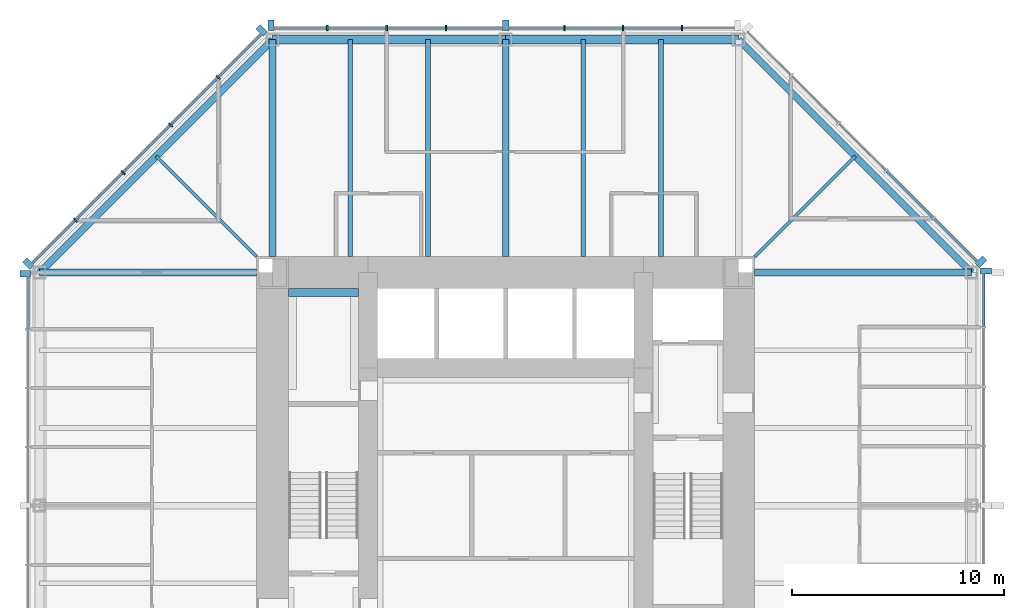
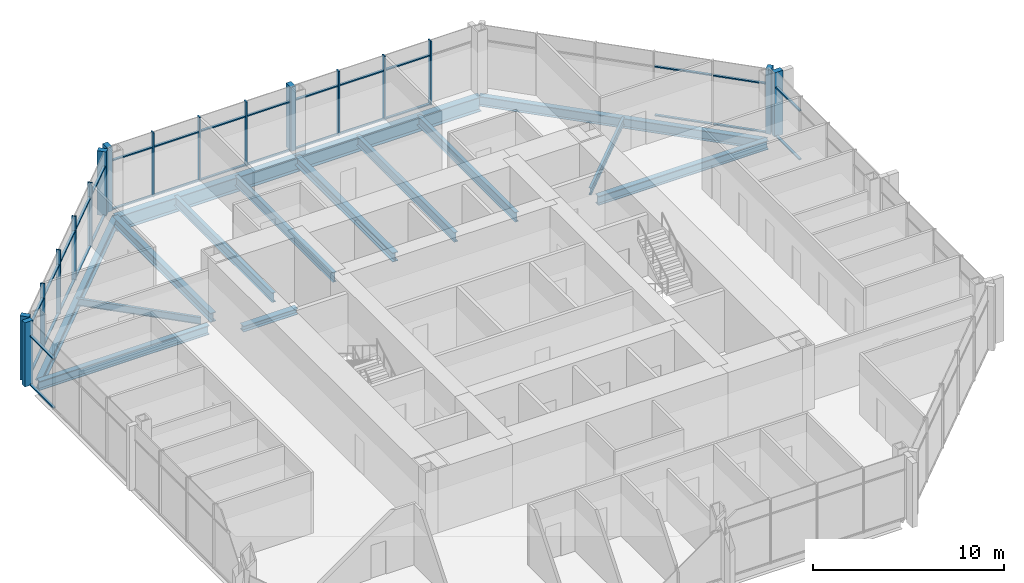
# One storey, part 5 of 12: 49 members, 15 beams, 5 elements without a shape of their own.
"""IFC4 building model written with IfcOpenShell, lengths in metres."""

from ifc_helpers import new_model, si_unit, direction, frame, origin, origin_2d, place, context, subcontext, project, spatial, rectangle, i_section, extrude, material, material_profile, profile_set, type_object, element, aggregate, save


model = new_model("IFC4")

# Units and contexts
model_context = context("Model", 3, precision=1e-05, world=origin(), true_north=direction((0.0, 1.0)))
body_context = subcontext(model_context, "Body", "Model", "MODEL_VIEW")
ifc_project = project(units=[si_unit("LENGTHUNIT", "METRE"), si_unit("AREAUNIT", "SQUARE_METRE"), si_unit("VOLUMEUNIT", "CUBIC_METRE"), si_unit("PLANEANGLEUNIT", "RADIAN"), si_unit("MASSUNIT", "GRAM", prefix="KILO")], contexts=[model_context])

# Site, building, storey
site_placement = place(None, origin())
site = spatial("IfcSite", under=ifc_project, at=site_placement, CompositionType="ELEMENT")
building_placement = place(site_placement, origin())
building = spatial("IfcBuilding", under=site, at=building_placement, Name="Trevanion Tower", CompositionType="ELEMENT")
storey_placement = place(building_placement, frame((0.0, 0.0, 174.60009765625)))
storey = spatial("IfcBuildingStorey", under=building, at=storey_placement, Name="L41", CompositionType="ELEMENT", Elevation=174.60009765625)

# Beams
ifc_material_1 = material(Name="Steel ASTM A992 Grade 50", Category="steel")
ifc_material_profile_1 = material_profile(ifc_material_1, i_section(OverallWidth=0.22900390625, OverallDepth=0.612060546875, WebThickness=0.011962890625, FlangeThickness=0.01953125, at=origin_2d()), Name="W24X84")
ifc_profile_set_1 = profile_set([ifc_material_profile_1], Name="Steel ASTM A992 Grade 50")
beam_type_1 = type_object("IfcBeamType", Name="B7 W24X84", PredefinedType="BEAM", material=ifc_profile_set_1)
for number, where, z_axis, x_axis, name in (
    (1, (7.333251953125, 11.75, -0.49609375), (0.0, 1.0, 0.0), (-1.0, 0.0, 0.0), "B7 L41"),
    (2, (3.666748046875, 11.75, -0.49609375), (0.0, 1.0, 0.0), (-1.0, 0.0, 0.0), "B7 L41"),
    (3, (-3.666748046875, 11.75, -0.49609375), (0.0, 1.0, 0.0), (-1.0, 0.0, 0.0), "B7 L41"),
    (4, (-7.333251953125, 11.75, -0.49609375), (0.0, 1.0, 0.0), (-1.0, 0.0, 0.0), "B7 L41"),
):
    element("IfcBeam", number, at=place(storey_placement, frame(where, z_axis=z_axis, x_axis=x_axis)), inside=storey, type_object=beam_type_1, Name=name, PredefinedType="BEAM", context=body_context, shape_type="SweptSolid", body=[
        extrude(i_section(OverallWidth=0.22900390625, OverallDepth=0.612060546875, WebThickness=0.011962890625, FlangeThickness=0.01953125, at=origin_2d()), origin(), (0.0, 0.0, 1.0), 10.25),
    ])
ifc_material_2 = material(Name="Steel ASTM A992 Grade 50", Category="steel")
ifc_material_profile_2 = material_profile(ifc_material_2, i_section(OverallWidth=0.15234375, OverallDepth=0.449462890625, WebThickness=0.007568359375, FlangeThickness=0.0107421875, at=origin_2d()), Name="W18X35")
ifc_profile_set_2 = profile_set([ifc_material_profile_2], Name="Steel ASTM A992 Grade 50")
beam_type_2 = type_object("IfcBeamType", Name="B8 W18X35", PredefinedType="BEAM", material=ifc_profile_set_2)
for number, where, z_axis, x_axis, name in (
    (5, (11.75, 11.75, -0.414794921875), (0.707106781187, 0.707106781187, 0.0), (-0.707106781187, 0.707106781187, 0.0), "B8 L41"),
    (6, (-11.75, 11.75, -0.414794921875), (-0.707106781187, 0.707106781187, 0.0), (-0.707106781187, -0.707106781187, 0.0), "B8 L41"),
):
    element("IfcBeam", number, at=place(storey_placement, frame(where, z_axis=z_axis, x_axis=x_axis)), inside=storey, type_object=beam_type_2, Name=name, PredefinedType="BEAM", context=body_context, shape_type="SweptSolid", body=[
        extrude(i_section(OverallWidth=0.15234375, OverallDepth=0.449462890625, WebThickness=0.007568359375, FlangeThickness=0.0107421875, at=origin_2d()), origin(), (0.0, 0.0, 1.0), 6.717529296875),
    ])

# Curtain wall, members
ifc_material_3 = material(Name="Aluminium and glass", Category="aluminium")
curtain_wall_type = type_object("IfcCurtainWallType", Name="CW2 curtain wall", PredefinedType="USERDEFINED", material=ifc_material_3)
curtain_wall_1_placement = place(storey_placement, origin())
curtain_wall_1 = element("IfcCurtainWall", 7, at=curtain_wall_1_placement, inside=storey, type_object=curtain_wall_type, Name="CW2 L41 2", ObjectType="UNITISED CURTAIN WALL", PredefinedType="USERDEFINED")
ifc_material_4 = material(Name="Aluminium extrusion, anodised bronze", Category="aluminium")
ifc_material_profile_3 = material_profile(ifc_material_4, rectangle(XDim=0.074951171875, YDim=0.25, at=origin_2d()), Name="CW2 mullion")
ifc_profile_set_3 = profile_set([ifc_material_profile_3], Name="Aluminium extrusion, anodised bronze")
member_type_1 = type_object("IfcMemberType", Name="CW2 mullion", PredefinedType="MULLION", material=ifc_profile_set_3)
member_1_placement = place(storey_placement, frame((8.323486328125, 22.550048828125, -0.190185546875), z_axis=(0.0, 0.0, 1.0), x_axis=(-1.0, 0.0, 0.0)))
member_1 = element("IfcMember", 8, at=member_1_placement, type_object=member_type_1, Name="CW2 mullion 2", PredefinedType="MULLION", context=body_context, shape_type="SweptSolid", body=[
    extrude(rectangle(XDim=0.074951171875, YDim=0.25, at=origin_2d()), origin(), (0.0, 0.0, 1.0), 4.10009765625),
])
member_2_placement = place(storey_placement, frame((5.548828125, 22.550048828125, -0.190185546875), z_axis=(0.0, 0.0, 1.0), x_axis=(-1.0, 0.0, 0.0)))
member_2 = element("IfcMember", 9, at=member_2_placement, type_object=member_type_1, Name="CW2 mullion 3", PredefinedType="MULLION", context=body_context, shape_type="SweptSolid", body=[
    extrude(rectangle(XDim=0.074951171875, YDim=0.25, at=origin_2d()), origin(), (0.0, 0.0, 1.0), 4.10009765625),
])
member_3_placement = place(storey_placement, frame((2.7744140625, 22.550048828125, -0.190185546875), z_axis=(0.0, 0.0, 1.0), x_axis=(-1.0, 0.0, 0.0)))
member_3 = element("IfcMember", 10, at=member_3_placement, type_object=member_type_1, Name="CW2 mullion 4", PredefinedType="MULLION", context=body_context, shape_type="SweptSolid", body=[
    extrude(rectangle(XDim=0.074951171875, YDim=0.25, at=origin_2d()), origin(), (0.0, 0.0, 1.0), 4.10009765625),
])
member_4_placement = place(storey_placement, frame((-2.806884765625, 22.550048828125, -0.190185546875), z_axis=(0.0, 0.0, 1.0), x_axis=(-1.0, 0.0, 0.0)))
member_4 = element("IfcMember", 11, at=member_4_placement, type_object=member_type_1, Name="CW2 mullion 6", PredefinedType="MULLION", context=body_context, shape_type="SweptSolid", body=[
    extrude(rectangle(XDim=0.074951171875, YDim=0.25, at=origin_2d()), origin(), (0.0, 0.0, 1.0), 4.10009765625),
])
member_5_placement = place(storey_placement, frame((-5.614013671875, 22.550048828125, -0.190185546875), z_axis=(0.0, 0.0, 1.0), x_axis=(-1.0, 0.0, 0.0)))
member_5 = element("IfcMember", 12, at=member_5_placement, type_object=member_type_1, Name="CW2 mullion 7", PredefinedType="MULLION", context=body_context, shape_type="SweptSolid", body=[
    extrude(rectangle(XDim=0.074951171875, YDim=0.25, at=origin_2d()), origin(), (0.0, 0.0, 1.0), 4.10009765625),
])
member_6_placement = place(storey_placement, frame((-8.4208984375, 22.550048828125, -0.190185546875), z_axis=(0.0, 0.0, 1.0), x_axis=(-1.0, 0.0, 0.0)))
member_6 = element("IfcMember", 13, at=member_6_placement, type_object=member_type_1, Name="CW2 mullion 8", PredefinedType="MULLION", context=body_context, shape_type="SweptSolid", body=[
    extrude(rectangle(XDim=0.074951171875, YDim=0.25, at=origin_2d()), origin(), (0.0, 0.0, 1.0), 4.10009765625),
])

curtain_wall_2_placement = place(storey_placement, origin())
curtain_wall_2 = element("IfcCurtainWall", 14, at=curtain_wall_2_placement, inside=storey, type_object=curtain_wall_type, Name="CW2 L41 3", ObjectType="UNITISED CURTAIN WALL", PredefinedType="USERDEFINED")
member_7_placement = place(storey_placement, frame((-13.56591796875, 20.2119140625, -0.190185546875), z_axis=(0.0, 0.0, 1.0), x_axis=(-0.707106781187, -0.707106781187, 0.0)))
member_7 = element("IfcMember", 15, at=member_7_placement, type_object=member_type_1, Name="CW2 mullion 2", PredefinedType="MULLION", context=body_context, shape_type="SweptSolid", body=[
    extrude(rectangle(XDim=0.074951171875, YDim=0.25, at=origin_2d()), origin(), (0.0, 0.0, 1.0), 4.10009765625),
])
member_8_placement = place(storey_placement, frame((-15.811767578125, 17.966064453125, -0.190185546875), z_axis=(0.0, 0.0, 1.0), x_axis=(-0.707106781187, -0.707106781187, 0.0)))
member_8 = element("IfcMember", 16, at=member_8_placement, type_object=member_type_1, Name="CW2 mullion 3", PredefinedType="MULLION", context=body_context, shape_type="SweptSolid", body=[
    extrude(rectangle(XDim=0.074951171875, YDim=0.25, at=origin_2d()), origin(), (0.0, 0.0, 1.0), 4.10009765625),
])
member_9_placement = place(storey_placement, frame((-18.057861328125, 15.719970703125, -0.190185546875), z_axis=(0.0, 0.0, 1.0), x_axis=(-0.707106781187, -0.707106781187, 0.0)))
member_9 = element("IfcMember", 17, at=member_9_placement, type_object=member_type_1, Name="CW2 mullion 4", PredefinedType="MULLION", context=body_context, shape_type="SweptSolid", body=[
    extrude(rectangle(XDim=0.074951171875, YDim=0.25, at=origin_2d()), origin(), (0.0, 0.0, 1.0), 4.10009765625),
])
member_10_placement = place(storey_placement, frame((-20.303955078125, 13.473876953125, -0.190185546875), z_axis=(0.0, 0.0, 1.0), x_axis=(-0.707106781187, -0.707106781187, 0.0)))
member_10 = element("IfcMember", 18, at=member_10_placement, type_object=member_type_1, Name="CW2 mullion 5", PredefinedType="MULLION", context=body_context, shape_type="SweptSolid", body=[
    extrude(rectangle(XDim=0.074951171875, YDim=0.25, at=origin_2d()), origin(), (0.0, 0.0, 1.0), 4.10009765625),
])

# Curtain wall, member
curtain_wall_3_placement = place(storey_placement, origin())
curtain_wall_3 = element("IfcCurtainWall", 19, at=curtain_wall_3_placement, inside=storey, type_object=curtain_wall_type, Name="CW2 L41 0", ObjectType="UNITISED CURTAIN WALL", PredefinedType="USERDEFINED")
ifc_material_5 = material(Name="Aluminium extrusion, anodised bronze", Category="aluminium")
ifc_material_profile_4 = material_profile(ifc_material_5, rectangle(XDim=0.300048828125, YDim=0.5, at=origin_2d()), Name="CW2 pier mullion")
ifc_profile_set_4 = profile_set([ifc_material_profile_4], Name="Aluminium extrusion, anodised bronze")
member_type_2 = type_object("IfcMemberType", Name="CW2 pier mullion", PredefinedType="MULLION", material=ifc_profile_set_4)
member_11_placement = place(storey_placement, frame((22.675048828125, 11.077880859375, -0.190185546875), z_axis=(0.0, 0.0, 1.0), x_axis=(0.0, 1.0, 0.0)))
member_11 = element("IfcMember", 20, at=member_11_placement, type_object=member_type_2, Name="CW2 pier mullion 9", PredefinedType="MULLION", context=body_context, shape_type="SweptSolid", body=[
    extrude(rectangle(XDim=0.300048828125, YDim=0.5, at=origin_2d()), origin(), (0.0, 0.0, 1.0), 4.10009765625),
])

curtain_wall_4_placement = place(storey_placement, origin())
curtain_wall_4 = element("IfcCurtainWall", 21, at=curtain_wall_4_placement, inside=storey, type_object=curtain_wall_type, Name="CW2 L41 1", ObjectType="UNITISED CURTAIN WALL", PredefinedType="USERDEFINED")
member_12_placement = place(storey_placement, frame((22.4404296875, 11.51416015625, -0.190185546875), z_axis=(0.0, 0.0, 1.0), x_axis=(-0.707106781187, 0.707106781187, 0.0)))
member_12 = element("IfcMember", 22, at=member_12_placement, type_object=member_type_2, Name="CW2 pier mullion 1", PredefinedType="MULLION", context=body_context, shape_type="SweptSolid", body=[
    extrude(rectangle(XDim=0.300048828125, YDim=0.5, at=origin_2d()), origin(), (0.0, 0.0, 1.0), 4.10009765625),
])

# Member
member_13_placement = place(storey_placement, frame((0.0, 22.675048828125, -0.190185546875), z_axis=(0.0, 0.0, 1.0), x_axis=(-1.0, 0.0, 0.0)))
member_13 = element("IfcMember", 23, at=member_13_placement, type_object=member_type_2, Name="CW2 pier mullion 5", PredefinedType="MULLION", context=body_context, shape_type="SweptSolid", body=[
    extrude(rectangle(XDim=0.300048828125, YDim=0.5, at=origin_2d()), origin(), (0.0, 0.0, 1.0), 4.10009765625),
])

member_14_placement = place(storey_placement, frame((-11.077880859375, 22.675048828125, -0.190185546875), z_axis=(0.0, 0.0, 1.0), x_axis=(-1.0, 0.0, 0.0)))
member_14 = element("IfcMember", 24, at=member_14_placement, type_object=member_type_2, Name="CW2 pier mullion 9", PredefinedType="MULLION", context=body_context, shape_type="SweptSolid", body=[
    extrude(rectangle(XDim=0.300048828125, YDim=0.5, at=origin_2d()), origin(), (0.0, 0.0, 1.0), 4.10009765625),
])

member_15_placement = place(storey_placement, frame((-11.51416015625, 22.4404296875, -0.190185546875), z_axis=(0.0, 0.0, 1.0), x_axis=(-0.707106781187, -0.707106781187, 0.0)))
member_15 = element("IfcMember", 25, at=member_15_placement, type_object=member_type_2, Name="CW2 pier mullion 1", PredefinedType="MULLION", context=body_context, shape_type="SweptSolid", body=[
    extrude(rectangle(XDim=0.300048828125, YDim=0.5, at=origin_2d()), origin(), (0.0, 0.0, 1.0), 4.10009765625),
])

member_16_placement = place(storey_placement, frame((-22.5322265625, 11.42236328125, -0.190185546875), z_axis=(0.0, 0.0, 1.0), x_axis=(-0.707106781187, -0.707106781187, 0.0)))
member_16 = element("IfcMember", 26, at=member_16_placement, type_object=member_type_2, Name="CW2 pier mullion 6", PredefinedType="MULLION", context=body_context, shape_type="SweptSolid", body=[
    extrude(rectangle(XDim=0.300048828125, YDim=0.5, at=origin_2d()), origin(), (0.0, 0.0, 1.0), 4.10009765625),
])

# Curtain wall, member
curtain_wall_5_placement = place(storey_placement, origin())
curtain_wall_5 = element("IfcCurtainWall", 27, at=curtain_wall_5_placement, inside=storey, type_object=curtain_wall_type, Name="CW2 L41 4", ObjectType="UNITISED CURTAIN WALL", PredefinedType="USERDEFINED")
member_17_placement = place(storey_placement, frame((-22.675048828125, 10.94775390625, -0.190185546875), z_axis=(0.0, 0.0, 1.0), x_axis=(0.0, -1.0, 0.0)))
member_17 = element("IfcMember", 28, at=member_17_placement, type_object=member_type_2, Name="CW2 pier mullion 1", PredefinedType="MULLION", context=body_context, shape_type="SweptSolid", body=[
    extrude(rectangle(XDim=0.300048828125, YDim=0.5, at=origin_2d()), origin(), (0.0, 0.0, 1.0), 4.10009765625),
])

# Member
ifc_material_6 = material(Name="Aluminium extrusion, anodised bronze", Category="aluminium")
ifc_material_profile_5 = material_profile(ifc_material_6, rectangle(XDim=0.14990234375, YDim=0.074951171875, at=origin_2d()), Name="CW2 transom")
ifc_profile_set_5 = profile_set([ifc_material_profile_5], Name="Aluminium extrusion, anodised bronze")
member_type_3 = type_object("IfcMemberType", Name="CW2 transom", PredefinedType="USERDEFINED", material=ifc_profile_set_5)
member_18_placement = place(storey_placement, frame((22.550048828125, 8.45849609375, -0.152587890625), z_axis=(0.0, 1.0, 0.0), x_axis=(-1.0, 0.0, 0.0)))
member_18 = element("IfcMember", 29, at=member_18_placement, type_object=member_type_3, Name="CW2 transom 8.1", ObjectType="TRANSOM", PredefinedType="USERDEFINED", context=body_context, shape_type="SweptSolid", body=[
    extrude(rectangle(XDim=0.14990234375, YDim=0.074951171875, at=origin_2d()), origin(), (0.0, 0.0, 1.0), 2.46923828125),
])

member_19_placement = place(storey_placement, frame((22.550048828125, 8.45849609375, 2.9599609375), z_axis=(0.0, 1.0, 0.0), x_axis=(-1.0, 0.0, 0.0)))
member_19 = element("IfcMember", 30, at=member_19_placement, type_object=member_type_3, Name="CW2 transom 8.2", ObjectType="TRANSOM", PredefinedType="USERDEFINED", context=body_context, shape_type="SweptSolid", body=[
    extrude(rectangle(XDim=0.14990234375, YDim=0.074951171875, at=origin_2d()), origin(), (0.0, 0.0, 1.0), 2.46923828125),
])

aggregate(curtain_wall_3, [member_11, member_18, member_19])

member_20_placement = place(storey_placement, frame((22.245849609375, 11.531982421875, -0.152587890625), z_axis=(-0.707106781187, 0.707106781187, 0.0), x_axis=(-0.707106781187, -0.707106781187, 0.0)))
member_20 = element("IfcMember", 31, at=member_20_placement, type_object=member_type_3, Name="CW2 transom 1.1", ObjectType="TRANSOM", PredefinedType="USERDEFINED", context=body_context, shape_type="SweptSolid", body=[
    extrude(rectangle(XDim=0.14990234375, YDim=0.074951171875, at=origin_2d()), origin(), (0.0, 0.0, 1.0), 2.8388671875),
])

member_21_placement = place(storey_placement, frame((22.245849609375, 11.531982421875, 2.9599609375), z_axis=(-0.707106781187, 0.707106781187, 0.0), x_axis=(-0.707106781187, -0.707106781187, 0.0)))
member_21 = element("IfcMember", 32, at=member_21_placement, type_object=member_type_3, Name="CW2 transom 1.2", ObjectType="TRANSOM", PredefinedType="USERDEFINED", context=body_context, shape_type="SweptSolid", body=[
    extrude(rectangle(XDim=0.14990234375, YDim=0.074951171875, at=origin_2d()), origin(), (0.0, 0.0, 1.0), 2.8388671875),
])

member_22_placement = place(storey_placement, frame((20.185546875, 13.59228515625, -0.152587890625), z_axis=(-0.707106781187, 0.707106781187, 0.0), x_axis=(-0.707106781187, -0.707106781187, 0.0)))
member_22 = element("IfcMember", 33, at=member_22_placement, type_object=member_type_3, Name="CW2 transom 2.1", ObjectType="TRANSOM", PredefinedType="USERDEFINED", context=body_context, shape_type="SweptSolid", body=[
    extrude(rectangle(XDim=0.14990234375, YDim=0.074951171875, at=origin_2d()), origin(), (0.0, 0.0, 1.0), 3.1015625),
])

member_23_placement = place(storey_placement, frame((20.185546875, 13.59228515625, 2.9599609375), z_axis=(-0.707106781187, 0.707106781187, 0.0), x_axis=(-0.707106781187, -0.707106781187, 0.0)))
member_23 = element("IfcMember", 34, at=member_23_placement, type_object=member_type_3, Name="CW2 transom 2.2", ObjectType="TRANSOM", PredefinedType="USERDEFINED", context=body_context, shape_type="SweptSolid", body=[
    extrude(rectangle(XDim=0.14990234375, YDim=0.074951171875, at=origin_2d()), origin(), (0.0, 0.0, 1.0), 3.1015625),
])

aggregate(curtain_wall_4, [member_12, member_20, member_21, member_22, member_23])

member_24_placement = place(storey_placement, frame((8.285888671875, 22.550048828125, -0.152587890625), z_axis=(-1.0, 0.0, 0.0), x_axis=(0.0, -1.0, 0.0)))
member_24 = element("IfcMember", 35, at=member_24_placement, type_object=member_type_3, Name="CW2 transom 2.1", ObjectType="TRANSOM", PredefinedType="USERDEFINED", context=body_context, shape_type="SweptSolid", body=[
    extrude(rectangle(XDim=0.14990234375, YDim=0.074951171875, at=origin_2d()), origin(), (0.0, 0.0, 1.0), 2.699462890625),
])

member_25_placement = place(storey_placement, frame((8.285888671875, 22.550048828125, 2.9599609375), z_axis=(-1.0, 0.0, 0.0), x_axis=(0.0, -1.0, 0.0)))
member_25 = element("IfcMember", 36, at=member_25_placement, type_object=member_type_3, Name="CW2 transom 2.2", ObjectType="TRANSOM", PredefinedType="USERDEFINED", context=body_context, shape_type="SweptSolid", body=[
    extrude(rectangle(XDim=0.14990234375, YDim=0.074951171875, at=origin_2d()), origin(), (0.0, 0.0, 1.0), 2.699462890625),
])

member_26_placement = place(storey_placement, frame((5.511474609375, 22.550048828125, -0.152587890625), z_axis=(-1.0, 0.0, 0.0), x_axis=(0.0, -1.0, 0.0)))
member_26 = element("IfcMember", 37, at=member_26_placement, type_object=member_type_3, Name="CW2 transom 3.1", ObjectType="TRANSOM", PredefinedType="USERDEFINED", context=body_context, shape_type="SweptSolid", body=[
    extrude(rectangle(XDim=0.14990234375, YDim=0.074951171875, at=origin_2d()), origin(), (0.0, 0.0, 1.0), 2.699462890625),
])

member_27_placement = place(storey_placement, frame((5.511474609375, 22.550048828125, 2.9599609375), z_axis=(-1.0, 0.0, 0.0), x_axis=(0.0, -1.0, 0.0)))
member_27 = element("IfcMember", 38, at=member_27_placement, type_object=member_type_3, Name="CW2 transom 3.2", ObjectType="TRANSOM", PredefinedType="USERDEFINED", context=body_context, shape_type="SweptSolid", body=[
    extrude(rectangle(XDim=0.14990234375, YDim=0.074951171875, at=origin_2d()), origin(), (0.0, 0.0, 1.0), 2.699462890625),
])

member_28_placement = place(storey_placement, frame((2.737060546875, 22.550048828125, -0.152587890625), z_axis=(-1.0, 0.0, 0.0), x_axis=(0.0, -1.0, 0.0)))
member_28 = element("IfcMember", 39, at=member_28_placement, type_object=member_type_3, Name="CW2 transom 4.1", ObjectType="TRANSOM", PredefinedType="USERDEFINED", context=body_context, shape_type="SweptSolid", body=[
    extrude(rectangle(XDim=0.14990234375, YDim=0.074951171875, at=origin_2d()), origin(), (0.0, 0.0, 1.0), 2.587158203125),
])

member_29_placement = place(storey_placement, frame((2.737060546875, 22.550048828125, 2.9599609375), z_axis=(-1.0, 0.0, 0.0), x_axis=(0.0, -1.0, 0.0)))
member_29 = element("IfcMember", 40, at=member_29_placement, type_object=member_type_3, Name="CW2 transom 4.2", ObjectType="TRANSOM", PredefinedType="USERDEFINED", context=body_context, shape_type="SweptSolid", body=[
    extrude(rectangle(XDim=0.14990234375, YDim=0.074951171875, at=origin_2d()), origin(), (0.0, 0.0, 1.0), 2.587158203125),
])

member_30_placement = place(storey_placement, frame((-0.14990234375, 22.550048828125, -0.152587890625), z_axis=(-1.0, 0.0, 0.0), x_axis=(0.0, -1.0, 0.0)))
member_30 = element("IfcMember", 41, at=member_30_placement, type_object=member_type_3, Name="CW2 transom 5.1", ObjectType="TRANSOM", PredefinedType="USERDEFINED", context=body_context, shape_type="SweptSolid", body=[
    extrude(rectangle(XDim=0.14990234375, YDim=0.074951171875, at=origin_2d()), origin(), (0.0, 0.0, 1.0), 2.619384765625),
])

member_31_placement = place(storey_placement, frame((-0.14990234375, 22.550048828125, 2.9599609375), z_axis=(-1.0, 0.0, 0.0), x_axis=(0.0, -1.0, 0.0)))
member_31 = element("IfcMember", 42, at=member_31_placement, type_object=member_type_3, Name="CW2 transom 5.2", ObjectType="TRANSOM", PredefinedType="USERDEFINED", context=body_context, shape_type="SweptSolid", body=[
    extrude(rectangle(XDim=0.14990234375, YDim=0.074951171875, at=origin_2d()), origin(), (0.0, 0.0, 1.0), 2.619384765625),
])

member_32_placement = place(storey_placement, frame((-2.844482421875, 22.550048828125, -0.152587890625), z_axis=(-1.0, 0.0, 0.0), x_axis=(0.0, -1.0, 0.0)))
member_32 = element("IfcMember", 43, at=member_32_placement, type_object=member_type_3, Name="CW2 transom 6.1", ObjectType="TRANSOM", PredefinedType="USERDEFINED", context=body_context, shape_type="SweptSolid", body=[
    extrude(rectangle(XDim=0.14990234375, YDim=0.074951171875, at=origin_2d()), origin(), (0.0, 0.0, 1.0), 2.73193359375),
])

member_33_placement = place(storey_placement, frame((-2.844482421875, 22.550048828125, 2.9599609375), z_axis=(-1.0, 0.0, 0.0), x_axis=(0.0, -1.0, 0.0)))
member_33 = element("IfcMember", 44, at=member_33_placement, type_object=member_type_3, Name="CW2 transom 6.2", ObjectType="TRANSOM", PredefinedType="USERDEFINED", context=body_context, shape_type="SweptSolid", body=[
    extrude(rectangle(XDim=0.14990234375, YDim=0.074951171875, at=origin_2d()), origin(), (0.0, 0.0, 1.0), 2.73193359375),
])

member_34_placement = place(storey_placement, frame((-5.6513671875, 22.550048828125, -0.152587890625), z_axis=(-1.0, 0.0, 0.0), x_axis=(0.0, -1.0, 0.0)))
member_34 = element("IfcMember", 45, at=member_34_placement, type_object=member_type_3, Name="CW2 transom 7.1", ObjectType="TRANSOM", PredefinedType="USERDEFINED", context=body_context, shape_type="SweptSolid", body=[
    extrude(rectangle(XDim=0.14990234375, YDim=0.074951171875, at=origin_2d()), origin(), (0.0, 0.0, 1.0), 2.73193359375),
])

member_35_placement = place(storey_placement, frame((-5.6513671875, 22.550048828125, 2.9599609375), z_axis=(-1.0, 0.0, 0.0), x_axis=(0.0, -1.0, 0.0)))
member_35 = element("IfcMember", 46, at=member_35_placement, type_object=member_type_3, Name="CW2 transom 7.2", ObjectType="TRANSOM", PredefinedType="USERDEFINED", context=body_context, shape_type="SweptSolid", body=[
    extrude(rectangle(XDim=0.14990234375, YDim=0.074951171875, at=origin_2d()), origin(), (0.0, 0.0, 1.0), 2.73193359375),
])

member_36_placement = place(storey_placement, frame((-8.45849609375, 22.550048828125, -0.152587890625), z_axis=(-1.0, 0.0, 0.0), x_axis=(0.0, -1.0, 0.0)))
member_36 = element("IfcMember", 47, at=member_36_placement, type_object=member_type_3, Name="CW2 transom 8.1", ObjectType="TRANSOM", PredefinedType="USERDEFINED", context=body_context, shape_type="SweptSolid", body=[
    extrude(rectangle(XDim=0.14990234375, YDim=0.074951171875, at=origin_2d()), origin(), (0.0, 0.0, 1.0), 2.46923828125),
])

member_37_placement = place(storey_placement, frame((-8.45849609375, 22.550048828125, 2.9599609375), z_axis=(-1.0, 0.0, 0.0), x_axis=(0.0, -1.0, 0.0)))
member_37 = element("IfcMember", 48, at=member_37_placement, type_object=member_type_3, Name="CW2 transom 8.2", ObjectType="TRANSOM", PredefinedType="USERDEFINED", context=body_context, shape_type="SweptSolid", body=[
    extrude(rectangle(XDim=0.14990234375, YDim=0.074951171875, at=origin_2d()), origin(), (0.0, 0.0, 1.0), 2.46923828125),
])

aggregate(curtain_wall_1, [member_1, member_2, member_3, member_13, member_4, member_5, member_6, member_14, member_24, member_25, member_26, member_27, member_28, member_29, member_30, member_31, member_32, member_33, member_34, member_35, member_36, member_37])

member_38_placement = place(storey_placement, frame((-11.531982421875, 22.245849609375, -0.152587890625), z_axis=(-0.707106781187, -0.707106781187, 0.0), x_axis=(0.707106781187, -0.707106781187, 0.0)))
member_38 = element("IfcMember", 49, at=member_38_placement, type_object=member_type_3, Name="CW2 transom 1.1", ObjectType="TRANSOM", PredefinedType="USERDEFINED", context=body_context, shape_type="SweptSolid", body=[
    extrude(rectangle(XDim=0.14990234375, YDim=0.074951171875, at=origin_2d()), origin(), (0.0, 0.0, 1.0), 2.8388671875),
])

member_39_placement = place(storey_placement, frame((-11.531982421875, 22.245849609375, 2.9599609375), z_axis=(-0.707106781187, -0.707106781187, 0.0), x_axis=(0.707106781187, -0.707106781187, 0.0)))
member_39 = element("IfcMember", 50, at=member_39_placement, type_object=member_type_3, Name="CW2 transom 1.2", ObjectType="TRANSOM", PredefinedType="USERDEFINED", context=body_context, shape_type="SweptSolid", body=[
    extrude(rectangle(XDim=0.14990234375, YDim=0.074951171875, at=origin_2d()), origin(), (0.0, 0.0, 1.0), 2.8388671875),
])

member_40_placement = place(storey_placement, frame((-13.59228515625, 20.185546875, -0.152587890625), z_axis=(-0.707106781187, -0.707106781187, 0.0), x_axis=(0.707106781187, -0.707106781187, 0.0)))
member_40 = element("IfcMember", 51, at=member_40_placement, type_object=member_type_3, Name="CW2 transom 2.1", ObjectType="TRANSOM", PredefinedType="USERDEFINED", context=body_context, shape_type="SweptSolid", body=[
    extrude(rectangle(XDim=0.14990234375, YDim=0.074951171875, at=origin_2d()), origin(), (0.0, 0.0, 1.0), 3.1015625),
])

member_41_placement = place(storey_placement, frame((-13.59228515625, 20.185546875, 2.9599609375), z_axis=(-0.707106781187, -0.707106781187, 0.0), x_axis=(0.707106781187, -0.707106781187, 0.0)))
member_41 = element("IfcMember", 52, at=member_41_placement, type_object=member_type_3, Name="CW2 transom 2.2", ObjectType="TRANSOM", PredefinedType="USERDEFINED", context=body_context, shape_type="SweptSolid", body=[
    extrude(rectangle(XDim=0.14990234375, YDim=0.074951171875, at=origin_2d()), origin(), (0.0, 0.0, 1.0), 3.1015625),
])

member_42_placement = place(storey_placement, frame((-15.83837890625, 17.939453125, -0.152587890625), z_axis=(-0.707106781187, -0.707106781187, 0.0), x_axis=(0.707106781187, -0.707106781187, 0.0)))
member_42 = element("IfcMember", 53, at=member_42_placement, type_object=member_type_3, Name="CW2 transom 3.1", ObjectType="TRANSOM", PredefinedType="USERDEFINED", context=body_context, shape_type="SweptSolid", body=[
    extrude(rectangle(XDim=0.14990234375, YDim=0.074951171875, at=origin_2d()), origin(), (0.0, 0.0, 1.0), 3.1015625),
])

member_43_placement = place(storey_placement, frame((-15.83837890625, 17.939453125, 2.9599609375), z_axis=(-0.707106781187, -0.707106781187, 0.0), x_axis=(0.707106781187, -0.707106781187, 0.0)))
member_43 = element("IfcMember", 54, at=member_43_placement, type_object=member_type_3, Name="CW2 transom 3.2", ObjectType="TRANSOM", PredefinedType="USERDEFINED", context=body_context, shape_type="SweptSolid", body=[
    extrude(rectangle(XDim=0.14990234375, YDim=0.074951171875, at=origin_2d()), origin(), (0.0, 0.0, 1.0), 3.1015625),
])

member_44_placement = place(storey_placement, frame((-18.08447265625, 15.693359375, -0.152587890625), z_axis=(-0.707106781187, -0.707106781187, 0.0), x_axis=(0.707106781187, -0.707106781187, 0.0)))
member_44 = element("IfcMember", 55, at=member_44_placement, type_object=member_type_3, Name="CW2 transom 4.1", ObjectType="TRANSOM", PredefinedType="USERDEFINED", context=body_context, shape_type="SweptSolid", body=[
    extrude(rectangle(XDim=0.14990234375, YDim=0.074951171875, at=origin_2d()), origin(), (0.0, 0.0, 1.0), 3.10107421875),
])

member_45_placement = place(storey_placement, frame((-18.08447265625, 15.693359375, 2.9599609375), z_axis=(-0.707106781187, -0.707106781187, 0.0), x_axis=(0.707106781187, -0.707106781187, 0.0)))
member_45 = element("IfcMember", 56, at=member_45_placement, type_object=member_type_3, Name="CW2 transom 4.2", ObjectType="TRANSOM", PredefinedType="USERDEFINED", context=body_context, shape_type="SweptSolid", body=[
    extrude(rectangle(XDim=0.14990234375, YDim=0.074951171875, at=origin_2d()), origin(), (0.0, 0.0, 1.0), 3.10107421875),
])

member_46_placement = place(storey_placement, frame((-20.33056640625, 13.447509765625, -0.152587890625), z_axis=(-0.707063781595, -0.707149778163, 0.0), x_axis=(0.707149778163, -0.707063781595, 0.0)))
member_46 = element("IfcMember", 57, at=member_46_placement, type_object=member_type_3, Name="CW2 transom 5.1", ObjectType="TRANSOM", PredefinedType="USERDEFINED", context=body_context, shape_type="SweptSolid", body=[
    extrude(rectangle(XDim=0.14990234375, YDim=0.074951171875, at=origin_2d()), origin(), (0.0, 0.0, 1.0), 2.8388671875),
])

member_47_placement = place(storey_placement, frame((-20.33056640625, 13.447509765625, 2.9599609375), z_axis=(-0.707063781595, -0.707149778163, 0.0), x_axis=(0.707149778163, -0.707063781595, 0.0)))
member_47 = element("IfcMember", 58, at=member_47_placement, type_object=member_type_3, Name="CW2 transom 5.2", ObjectType="TRANSOM", PredefinedType="USERDEFINED", context=body_context, shape_type="SweptSolid", body=[
    extrude(rectangle(XDim=0.14990234375, YDim=0.074951171875, at=origin_2d()), origin(), (0.0, 0.0, 1.0), 2.8388671875),
])

aggregate(curtain_wall_2, [member_15, member_7, member_8, member_9, member_10, member_16, member_38, member_39, member_40, member_41, member_42, member_43, member_44, member_45, member_46, member_47])

member_48_placement = place(storey_placement, frame((-22.550048828125, 10.7978515625, -0.152587890625), z_axis=(0.0, -1.0, 0.0), x_axis=(1.0, 0.0, 0.0)))
member_48 = element("IfcMember", 59, at=member_48_placement, type_object=member_type_3, Name="CW2 transom 1.1", ObjectType="TRANSOM", PredefinedType="USERDEFINED", context=body_context, shape_type="SweptSolid", body=[
    extrude(rectangle(XDim=0.14990234375, YDim=0.074951171875, at=origin_2d()), origin(), (0.0, 0.0, 1.0), 2.43701171875),
])

member_49_placement = place(storey_placement, frame((-22.550048828125, 10.7978515625, 2.9599609375), z_axis=(0.0, -1.0, 0.0), x_axis=(1.0, 0.0, 0.0)))
member_49 = element("IfcMember", 60, at=member_49_placement, type_object=member_type_3, Name="CW2 transom 1.2", ObjectType="TRANSOM", PredefinedType="USERDEFINED", context=body_context, shape_type="SweptSolid", body=[
    extrude(rectangle(XDim=0.14990234375, YDim=0.074951171875, at=origin_2d()), origin(), (0.0, 0.0, 1.0), 2.43701171875),
])

aggregate(curtain_wall_5, [member_17, member_48, member_49])

# Beams
ifc_material_7 = material(Name="Steel ASTM A992 Grade 50", Category="steel")
ifc_material_profile_6 = material_profile(ifc_material_7, i_section(OverallWidth=0.320068359375, OverallDepth=0.584228515625, WebThickness=0.023193359375, FlangeThickness=0.04150390625, at=origin_2d()), Name="W21X201")
ifc_profile_set_6 = profile_set([ifc_material_profile_6], Name="Steel ASTM A992 Grade 50")
beam_type_3 = type_object("IfcBeamType", Name="G4 W21X201", PredefinedType="BEAM", material=ifc_profile_set_6)
for number, where, z_axis, x_axis, name in (
    (61, (11.75, 11.0, -0.482177734375), (1.0, 0.0, 0.0), (0.0, 1.0, 0.0), "G4 L41"),
    (62, (0.0, 11.75, -0.482177734375), (0.0, 1.0, 0.0), (-1.0, 0.0, 0.0), "G4 L41"),
    (63, (-11.0, 11.75, -0.482177734375), (0.0, 1.0, 0.0), (-1.0, 0.0, 0.0), "G4 L41"),
    (64, (-11.75, 11.0, -0.482177734375), (-1.0, 0.0, 0.0), (0.0, -1.0, 0.0), "G4 L41"),
):
    element("IfcBeam", number, at=place(storey_placement, frame(where, z_axis=z_axis, x_axis=x_axis)), inside=storey, type_object=beam_type_3, Name=name, PredefinedType="BEAM", context=body_context, shape_type="SweptSolid", body=[
        extrude(i_section(OverallWidth=0.320068359375, OverallDepth=0.584228515625, WebThickness=0.023193359375, FlangeThickness=0.04150390625, at=origin_2d()), origin(), (0.0, 0.0, 1.0), 10.25),
    ])
ifc_material_8 = material(Name="Steel ASTM A992 Grade 50", Category="steel")
ifc_material_profile_7 = material_profile(ifc_material_8, i_section(OverallWidth=0.373291015625, OverallDepth=0.373291015625, WebThickness=0.016357421875, FlangeThickness=0.026123046875, at=origin_2d()), Name="W14X132")
ifc_profile_set_7 = profile_set([ifc_material_profile_7], Name="Steel ASTM A992 Grade 50")
beam_type_4 = type_object("IfcBeamType", Name="LB2 W14X132", PredefinedType="BEAM", material=ifc_profile_set_7)
beam_placement = place(storey_placement, frame((-10.25, 10.063232421875, -0.38671875), z_axis=(1.0, 0.0, 0.0), x_axis=(0.0, 1.0, 0.0)))
element("IfcBeam", 65, at=beam_placement, inside=storey, type_object=beam_type_4, Name="LB2 L41", PredefinedType="BEAM", context=body_context, shape_type="SweptSolid", body=[
    extrude(i_section(OverallWidth=0.373291015625, OverallDepth=0.373291015625, WebThickness=0.016357421875, FlangeThickness=0.026123046875, at=origin_2d()), origin(), (0.0, 0.0, 1.0), 3.300048828125),
])
ifc_material_9 = material(Name="Steel ASTM A992 Grade 50", Category="steel")
ifc_material_profile_8 = material_profile(ifc_material_9, i_section(OverallWidth=0.419189453125, OverallDepth=0.927001953125, WebThickness=0.019287109375, FlangeThickness=0.031982421875, at=origin_2d()), Name="W36X231")
ifc_profile_set_8 = profile_set([ifc_material_profile_8], Name="Steel ASTM A992 Grade 50")
beam_type_5 = type_object("IfcBeamType", Name="SB4 W36X231", PredefinedType="SPANDREL", material=ifc_profile_set_8)
for number, where, z_axis, x_axis, name in (
    (66, (11.0, 22.0, -0.65380859375), (-1.0, 0.0, 0.0), (0.0, -1.0, 0.0), "SB4 L41"),
    (67, (0.0, 22.0, -0.65380859375), (-1.0, 0.0, 0.0), (0.0, -1.0, 0.0), "SB4 L41"),
):
    element("IfcBeam", number, at=place(storey_placement, frame(where, z_axis=z_axis, x_axis=x_axis)), inside=storey, type_object=beam_type_5, Name=name, PredefinedType="SPANDREL", context=body_context, shape_type="SweptSolid", body=[
        extrude(i_section(OverallWidth=0.419189453125, OverallDepth=0.927001953125, WebThickness=0.019287109375, FlangeThickness=0.031982421875, at=origin_2d()), origin(), (0.0, 0.0, 1.0), 11.0),
    ])
ifc_material_10 = material(Name="Steel ASTM A992 Grade 50", Category="steel")
ifc_material_profile_9 = material_profile(ifc_material_10, i_section(OverallWidth=0.32763671875, OverallDepth=0.62744140625, WebThickness=0.0166015625, FlangeThickness=0.027587890625, at=origin_2d()), Name="W24X146")
ifc_profile_set_9 = profile_set([ifc_material_profile_9], Name="Steel ASTM A992 Grade 50")
beam_type_6 = type_object("IfcBeamType", Name="SB5 W24X146", PredefinedType="SPANDREL", material=ifc_profile_set_9)
for number, where, z_axis, x_axis, name in (
    (68, (22.0, 11.0, -0.50390625), (-0.707106781187, 0.707106781187, 0.0), (-0.707106781187, -0.707106781187, 0.0), "SB5 L41"),
    (69, (-11.0, 22.0, -0.50390625), (-0.707106781187, -0.707106781187, 0.0), (0.707106781187, -0.707106781187, 0.0), "SB5 L41"),
):
    element("IfcBeam", number, at=place(storey_placement, frame(where, z_axis=z_axis, x_axis=x_axis)), inside=storey, type_object=beam_type_6, Name=name, PredefinedType="SPANDREL", context=body_context, shape_type="SweptSolid", body=[
        extrude(i_section(OverallWidth=0.32763671875, OverallDepth=0.62744140625, WebThickness=0.0166015625, FlangeThickness=0.027587890625, at=origin_2d()), origin(), (0.0, 0.0, 1.0), 15.556396484375),
    ])

save(model, "model.ifc")
